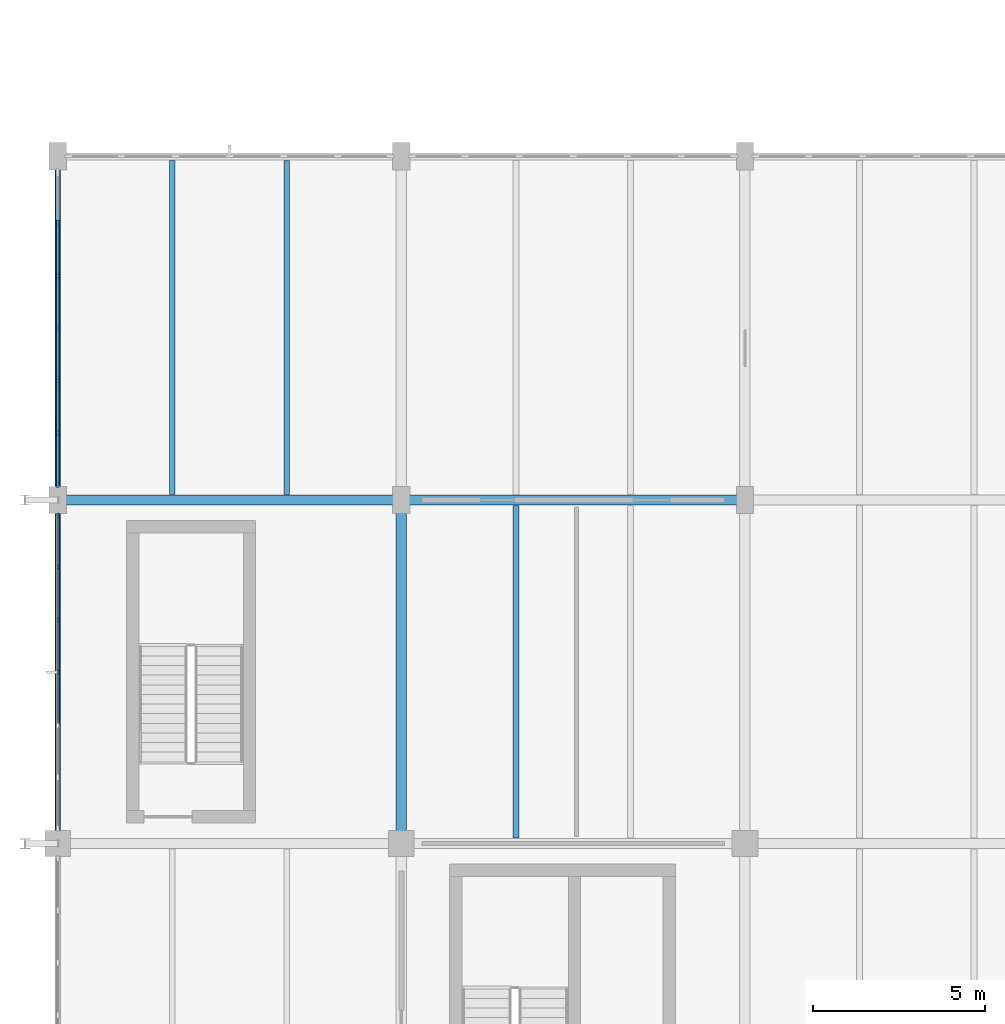
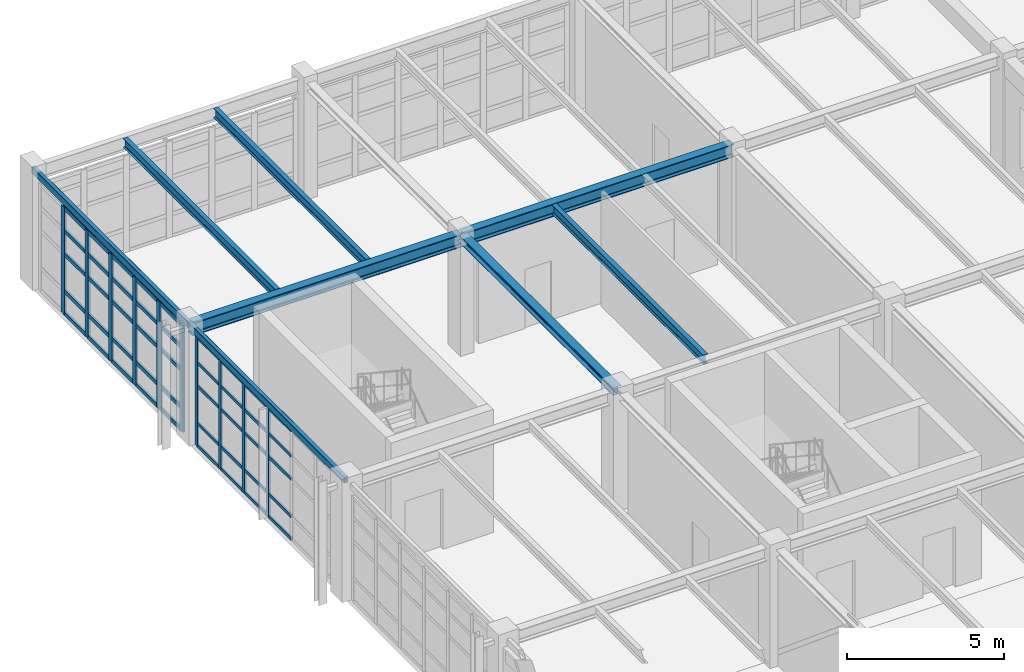
# One storey, part 44 of 139: 55 members, 8 beams, 2 elements without a shape of their own.
"""IFC4 building model written with IfcOpenShell, lengths in metres."""

from ifc_helpers import new_model, si_unit, direction, frame, origin, origin_2d, place, context, subcontext, project, spatial, rectangle, hollow_rectangle, i_section, extrude, material, layer, layer_set, material_profile, profile_set, type_object, element, aggregate, save


model = new_model("IFC4")

# Units and contexts
model_context = context("Model", 3, precision=1e-05, world=origin(), true_north=direction((0.0, 1.0)))
body_context = subcontext(model_context, "Body", "Model", "MODEL_VIEW")
ifc_project = project(units=[si_unit("LENGTHUNIT", "METRE"), si_unit("AREAUNIT", "SQUARE_METRE"), si_unit("VOLUMEUNIT", "CUBIC_METRE"), si_unit("PLANEANGLEUNIT", "RADIAN"), si_unit("MASSUNIT", "GRAM", prefix="KILO"), si_unit("THERMODYNAMICTEMPERATUREUNIT", "KELVIN"), si_unit("POWERUNIT", "WATT")], contexts=[model_context])

# Site, building, storey
site_placement = place(None, origin())
site = spatial("IfcSite", under=ifc_project, at=site_placement, CompositionType="ELEMENT")
building_placement = place(site_placement, origin())
building = spatial("IfcBuilding", under=site, at=building_placement, Name="Korenveer Ferry Terminal", CompositionType="ELEMENT")
storey_placement = place(building_placement, frame((0.0, 0.0, 5.39990234375)))
storey = spatial("IfcBuildingStorey", under=building, at=storey_placement, Name="L01", CompositionType="ELEMENT", Elevation=5.39990234375)

# Curtain wall, members
ifc_material_1 = material(Name="Unitised bronze-and-glass curtain wall", Category="glass")
ifc_layer_1 = layer(ifc_material_1, 0.159912109375)
ifc_layer_set_1 = layer_set([ifc_layer_1], Name="Unitised bronze-and-glass curtain wall")
curtain_wall_type_1 = type_object("IfcCurtainWallType", Name="ENV-CW-60", PredefinedType="USERDEFINED", material=ifc_layer_set_1)
curtain_wall_1_placement = place(storey_placement, frame((0.0, 60.405029296875, 0.0)))
curtain_wall_1 = element("IfcCurtainWall", 1, at=curtain_wall_1_placement, inside=storey, type_object=curtain_wall_type_1, Name="Lancet curtain wall CWX-L01-X0-0-Y60-70", ObjectType="UNITISED CURTAIN WALL", PredefinedType="USERDEFINED")
ifc_material_2 = material(Name="Anodised bronze aluminium", Category="aluminium")
ifc_material_profile_1 = material_profile(ifc_material_2, rectangle(XDim=0.06005859375, YDim=0.159912109375, at=origin_2d()), Name="ALU 60x160")
ifc_profile_set_1 = profile_set([ifc_material_profile_1], Name="Anodised bronze aluminium")
member_type_1 = type_object("IfcMemberType", Name="ENV-CWM-60X160", PredefinedType="MULLION", material=ifc_profile_set_1)
member_1_placement = place(storey_placement, frame((0.0, 64.987548828125, 0.0), z_axis=(0.0, 0.0, 1.0), x_axis=(-1.0, 0.0, 0.0)))
member_1 = element("IfcMember", 2, at=member_1_placement, type_object=member_type_1, Name="CW-60 mullion 4", PredefinedType="MULLION", context=body_context, shape_type="SweptSolid", body=[
    extrude(rectangle(XDim=0.06005859375, YDim=0.159912109375, at=origin_2d()), origin(), (0.0, 0.0, 1.0), 4.27001953125),
])
member_2_placement = place(storey_placement, frame((0.0, 66.514892578125, 0.0), z_axis=(0.0, 0.0, 1.0), x_axis=(-1.0, 0.0, 0.0)))
member_2 = element("IfcMember", 3, at=member_2_placement, type_object=member_type_1, Name="CW-60 mullion 5", PredefinedType="MULLION", context=body_context, shape_type="SweptSolid", body=[
    extrude(rectangle(XDim=0.06005859375, YDim=0.159912109375, at=origin_2d()), origin(), (0.0, 0.0, 1.0), 4.27001953125),
])
member_3_placement = place(storey_placement, frame((0.0, 68.04248046875, 0.0), z_axis=(0.0, 0.0, 1.0), x_axis=(-1.0, 0.0, 0.0)))
member_3 = element("IfcMember", 4, at=member_3_placement, type_object=member_type_1, Name="CW-60 mullion 6", PredefinedType="MULLION", context=body_context, shape_type="SweptSolid", body=[
    extrude(rectangle(XDim=0.06005859375, YDim=0.159912109375, at=origin_2d()), origin(), (0.0, 0.0, 1.0), 4.27001953125),
])
member_4_placement = place(storey_placement, frame((0.0, 69.5400390625, 0.0), z_axis=(0.0, 0.0, 1.0), x_axis=(-1.0, 0.0, 0.0)))
member_4 = element("IfcMember", 5, at=member_4_placement, type_object=member_type_1, Name="CW-60 mullion 7", PredefinedType="MULLION", context=body_context, shape_type="SweptSolid", body=[
    extrude(rectangle(XDim=0.06005859375, YDim=0.159912109375, at=origin_2d()), origin(), (0.0, 0.0, 1.0), 4.27001953125),
])

ifc_layer_2 = layer(ifc_material_1, 0.219970703125)
ifc_layer_set_2 = layer_set([ifc_layer_2], Name="Unitised bronze-and-glass curtain wall")
curtain_wall_type_2 = type_object("IfcCurtainWallType", Name="ENV-CW-61", PredefinedType="USERDEFINED", material=ifc_layer_set_2)
curtain_wall_2_placement = place(storey_placement, frame((0.0, 70.429931640625, 0.0)))
curtain_wall_2 = element("IfcCurtainWall", 6, at=curtain_wall_2_placement, inside=storey, type_object=curtain_wall_type_2, Name="Lancet curtain wall CWX-L01-X0-0-Y70-80", ObjectType="UNITISED CURTAIN WALL", PredefinedType="USERDEFINED")
ifc_material_profile_2 = material_profile(ifc_material_2, rectangle(XDim=0.074951171875, YDim=0.219970703125, at=origin_2d()), Name="ALU 75x220")
ifc_profile_set_2 = profile_set([ifc_material_profile_2], Name="Anodised bronze aluminium")
member_type_2 = type_object("IfcMemberType", Name="ENV-CWM-75X220", PredefinedType="MULLION", material=ifc_profile_set_2)
member_5_placement = place(storey_placement, frame((0.0, 70.467529296875, 0.0), z_axis=(0.0, 0.0, 1.0), x_axis=(-1.0, 0.0, 0.0)))
member_5 = element("IfcMember", 7, at=member_5_placement, type_object=member_type_2, Name="CW-61 mullion 1", PredefinedType="MULLION", context=body_context, shape_type="SweptSolid", body=[
    extrude(rectangle(XDim=0.074951171875, YDim=0.219970703125, at=origin_2d()), origin(), (0.0, 0.0, 1.0), 4.170166015625),
])
member_6_placement = place(storey_placement, frame((0.0, 71.953369140625, 0.0), z_axis=(0.0, 0.0, 1.0), x_axis=(-1.0, 0.0, 0.0)))
member_6 = element("IfcMember", 8, at=member_6_placement, type_object=member_type_2, Name="CW-61 mullion 2", PredefinedType="MULLION", context=body_context, shape_type="SweptSolid", body=[
    extrude(rectangle(XDim=0.074951171875, YDim=0.219970703125, at=origin_2d()), origin(), (0.0, 0.0, 1.0), 4.170166015625),
])
member_7_placement = place(storey_placement, frame((0.0, 73.4765625, 0.0), z_axis=(0.0, 0.0, 1.0), x_axis=(-1.0, 0.0, 0.0)))
member_7 = element("IfcMember", 9, at=member_7_placement, type_object=member_type_2, Name="CW-61 mullion 3", PredefinedType="MULLION", context=body_context, shape_type="SweptSolid", body=[
    extrude(rectangle(XDim=0.074951171875, YDim=0.219970703125, at=origin_2d()), origin(), (0.0, 0.0, 1.0), 4.170166015625),
])
member_8_placement = place(storey_placement, frame((0.0, 75.0, 0.0), z_axis=(0.0, 0.0, 1.0), x_axis=(-1.0, 0.0, 0.0)))
member_8 = element("IfcMember", 10, at=member_8_placement, type_object=member_type_2, Name="CW-61 mullion 4", PredefinedType="MULLION", context=body_context, shape_type="SweptSolid", body=[
    extrude(rectangle(XDim=0.074951171875, YDim=0.219970703125, at=origin_2d()), origin(), (0.0, 0.0, 1.0), 4.170166015625),
])
member_9_placement = place(storey_placement, frame((0.0, 76.5234375, 0.0), z_axis=(0.0, 0.0, 1.0), x_axis=(-1.0, 0.0, 0.0)))
member_9 = element("IfcMember", 11, at=member_9_placement, type_object=member_type_2, Name="CW-61 mullion 5", PredefinedType="MULLION", context=body_context, shape_type="SweptSolid", body=[
    extrude(rectangle(XDim=0.074951171875, YDim=0.219970703125, at=origin_2d()), origin(), (0.0, 0.0, 1.0), 4.170166015625),
])
member_10_placement = place(storey_placement, frame((0.0, 78.046630859375, 0.0), z_axis=(0.0, 0.0, 1.0), x_axis=(-1.0, 0.0, 0.0)))
member_10 = element("IfcMember", 12, at=member_10_placement, type_object=member_type_2, Name="CW-61 mullion 6", PredefinedType="MULLION", context=body_context, shape_type="SweptSolid", body=[
    extrude(rectangle(XDim=0.074951171875, YDim=0.219970703125, at=origin_2d()), origin(), (0.0, 0.0, 1.0), 4.170166015625),
])

# Member
ifc_material_profile_3 = material_profile(ifc_material_2, rectangle(XDim=0.06005859375, YDim=0.1201171875, at=origin_2d()), Name="ALU 60x120")
ifc_profile_set_3 = profile_set([ifc_material_profile_3], Name="Anodised bronze aluminium")
member_type_3 = type_object("IfcMemberType", Name="ENV-CWT-60X120", PredefinedType="USERDEFINED", material=ifc_profile_set_3)
member_11_placement = place(storey_placement, frame((0.0, 63.489990234375, 0.030029296875), z_axis=(0.0, 1.0, 0.0), x_axis=(-1.0, 0.0, 0.0)))
member_11 = element("IfcMember", 13, at=member_11_placement, type_object=member_type_3, Name="CW-60 transom 3.1", ObjectType="TRANSOM", PredefinedType="USERDEFINED", context=body_context, shape_type="SweptSolid", body=[
    extrude(rectangle(XDim=0.06005859375, YDim=0.1201171875, at=origin_2d()), origin(), (0.0, 0.0, 1.0), 1.467529296875),
])

member_12_placement = place(storey_placement, frame((0.0, 63.489990234375, 0.900146484375), z_axis=(0.0, 1.0, 0.0), x_axis=(-1.0, 0.0, 0.0)))
member_12 = element("IfcMember", 14, at=member_12_placement, type_object=member_type_3, Name="CW-60 transom 3.2", ObjectType="TRANSOM", PredefinedType="USERDEFINED", context=body_context, shape_type="SweptSolid", body=[
    extrude(rectangle(XDim=0.06005859375, YDim=0.1201171875, at=origin_2d()), origin(), (0.0, 0.0, 1.0), 1.467529296875),
])

member_13_placement = place(storey_placement, frame((0.0, 63.489990234375, 2.35009765625), z_axis=(0.0, 1.0, 0.0), x_axis=(-1.0, 0.0, 0.0)))
member_13 = element("IfcMember", 15, at=member_13_placement, type_object=member_type_3, Name="CW-60 transom 3.3", ObjectType="TRANSOM", PredefinedType="USERDEFINED", context=body_context, shape_type="SweptSolid", body=[
    extrude(rectangle(XDim=0.06005859375, YDim=0.1201171875, at=origin_2d()), origin(), (0.0, 0.0, 1.0), 1.467529296875),
])

member_14_placement = place(storey_placement, frame((0.0, 63.489990234375, 3.25), z_axis=(0.0, 1.0, 0.0), x_axis=(-1.0, 0.0, 0.0)))
member_14 = element("IfcMember", 16, at=member_14_placement, type_object=member_type_3, Name="CW-60 transom 3.4", ObjectType="TRANSOM", PredefinedType="USERDEFINED", context=body_context, shape_type="SweptSolid", body=[
    extrude(rectangle(XDim=0.06005859375, YDim=0.1201171875, at=origin_2d()), origin(), (0.0, 0.0, 1.0), 1.467529296875),
])

member_15_placement = place(storey_placement, frame((0.0, 63.489990234375, 4.239990234375), z_axis=(0.0, 1.0, 0.0), x_axis=(-1.0, 0.0, 0.0)))
member_15 = element("IfcMember", 17, at=member_15_placement, type_object=member_type_3, Name="CW-60 transom 3.5", ObjectType="TRANSOM", PredefinedType="USERDEFINED", context=body_context, shape_type="SweptSolid", body=[
    extrude(rectangle(XDim=0.06005859375, YDim=0.1201171875, at=origin_2d()), origin(), (0.0, 0.0, 1.0), 1.467529296875),
])

member_16_placement = place(storey_placement, frame((0.0, 65.017578125, 0.030029296875), z_axis=(0.0, 1.0, 0.0), x_axis=(-1.0, 0.0, 0.0)))
member_16 = element("IfcMember", 18, at=member_16_placement, type_object=member_type_3, Name="CW-60 transom 4.1", ObjectType="TRANSOM", PredefinedType="USERDEFINED", context=body_context, shape_type="SweptSolid", body=[
    extrude(rectangle(XDim=0.06005859375, YDim=0.1201171875, at=origin_2d()), origin(), (0.0, 0.0, 1.0), 1.467529296875),
])

member_17_placement = place(storey_placement, frame((0.0, 65.017578125, 0.900146484375), z_axis=(0.0, 1.0, 0.0), x_axis=(-1.0, 0.0, 0.0)))
member_17 = element("IfcMember", 19, at=member_17_placement, type_object=member_type_3, Name="CW-60 transom 4.2", ObjectType="TRANSOM", PredefinedType="USERDEFINED", context=body_context, shape_type="SweptSolid", body=[
    extrude(rectangle(XDim=0.06005859375, YDim=0.1201171875, at=origin_2d()), origin(), (0.0, 0.0, 1.0), 1.467529296875),
])

member_18_placement = place(storey_placement, frame((0.0, 65.017578125, 2.35009765625), z_axis=(0.0, 1.0, 0.0), x_axis=(-1.0, 0.0, 0.0)))
member_18 = element("IfcMember", 20, at=member_18_placement, type_object=member_type_3, Name="CW-60 transom 4.3", ObjectType="TRANSOM", PredefinedType="USERDEFINED", context=body_context, shape_type="SweptSolid", body=[
    extrude(rectangle(XDim=0.06005859375, YDim=0.1201171875, at=origin_2d()), origin(), (0.0, 0.0, 1.0), 1.467529296875),
])

member_19_placement = place(storey_placement, frame((0.0, 65.017578125, 3.25), z_axis=(0.0, 1.0, 0.0), x_axis=(-1.0, 0.0, 0.0)))
member_19 = element("IfcMember", 21, at=member_19_placement, type_object=member_type_3, Name="CW-60 transom 4.4", ObjectType="TRANSOM", PredefinedType="USERDEFINED", context=body_context, shape_type="SweptSolid", body=[
    extrude(rectangle(XDim=0.06005859375, YDim=0.1201171875, at=origin_2d()), origin(), (0.0, 0.0, 1.0), 1.467529296875),
])

member_20_placement = place(storey_placement, frame((0.0, 65.017578125, 4.239990234375), z_axis=(0.0, 1.0, 0.0), x_axis=(-1.0, 0.0, 0.0)))
member_20 = element("IfcMember", 22, at=member_20_placement, type_object=member_type_3, Name="CW-60 transom 4.5", ObjectType="TRANSOM", PredefinedType="USERDEFINED", context=body_context, shape_type="SweptSolid", body=[
    extrude(rectangle(XDim=0.06005859375, YDim=0.1201171875, at=origin_2d()), origin(), (0.0, 0.0, 1.0), 1.467529296875),
])

member_21_placement = place(storey_placement, frame((0.0, 66.544921875, 0.030029296875), z_axis=(0.0, 1.0, 0.0), x_axis=(-1.0, 0.0, 0.0)))
member_21 = element("IfcMember", 23, at=member_21_placement, type_object=member_type_3, Name="CW-60 transom 5.1", ObjectType="TRANSOM", PredefinedType="USERDEFINED", context=body_context, shape_type="SweptSolid", body=[
    extrude(rectangle(XDim=0.06005859375, YDim=0.1201171875, at=origin_2d()), origin(), (0.0, 0.0, 1.0), 1.467529296875),
])

member_22_placement = place(storey_placement, frame((0.0, 66.544921875, 0.900146484375), z_axis=(0.0, 1.0, 0.0), x_axis=(-1.0, 0.0, 0.0)))
member_22 = element("IfcMember", 24, at=member_22_placement, type_object=member_type_3, Name="CW-60 transom 5.2", ObjectType="TRANSOM", PredefinedType="USERDEFINED", context=body_context, shape_type="SweptSolid", body=[
    extrude(rectangle(XDim=0.06005859375, YDim=0.1201171875, at=origin_2d()), origin(), (0.0, 0.0, 1.0), 1.467529296875),
])

member_23_placement = place(storey_placement, frame((0.0, 66.544921875, 2.35009765625), z_axis=(0.0, 1.0, 0.0), x_axis=(-1.0, 0.0, 0.0)))
member_23 = element("IfcMember", 25, at=member_23_placement, type_object=member_type_3, Name="CW-60 transom 5.3", ObjectType="TRANSOM", PredefinedType="USERDEFINED", context=body_context, shape_type="SweptSolid", body=[
    extrude(rectangle(XDim=0.06005859375, YDim=0.1201171875, at=origin_2d()), origin(), (0.0, 0.0, 1.0), 1.467529296875),
])

member_24_placement = place(storey_placement, frame((0.0, 66.544921875, 3.25), z_axis=(0.0, 1.0, 0.0), x_axis=(-1.0, 0.0, 0.0)))
member_24 = element("IfcMember", 26, at=member_24_placement, type_object=member_type_3, Name="CW-60 transom 5.4", ObjectType="TRANSOM", PredefinedType="USERDEFINED", context=body_context, shape_type="SweptSolid", body=[
    extrude(rectangle(XDim=0.06005859375, YDim=0.1201171875, at=origin_2d()), origin(), (0.0, 0.0, 1.0), 1.467529296875),
])

member_25_placement = place(storey_placement, frame((0.0, 66.544921875, 4.239990234375), z_axis=(0.0, 1.0, 0.0), x_axis=(-1.0, 0.0, 0.0)))
member_25 = element("IfcMember", 27, at=member_25_placement, type_object=member_type_3, Name="CW-60 transom 5.5", ObjectType="TRANSOM", PredefinedType="USERDEFINED", context=body_context, shape_type="SweptSolid", body=[
    extrude(rectangle(XDim=0.06005859375, YDim=0.1201171875, at=origin_2d()), origin(), (0.0, 0.0, 1.0), 1.467529296875),
])

member_26_placement = place(storey_placement, frame((0.0, 68.072509765625, 0.030029296875), z_axis=(0.0, 1.0, 0.0), x_axis=(-1.0, 0.0, 0.0)))
member_26 = element("IfcMember", 28, at=member_26_placement, type_object=member_type_3, Name="CW-60 transom 6.1", ObjectType="TRANSOM", PredefinedType="USERDEFINED", context=body_context, shape_type="SweptSolid", body=[
    extrude(rectangle(XDim=0.06005859375, YDim=0.1201171875, at=origin_2d()), origin(), (0.0, 0.0, 1.0), 1.4375),
])

member_27_placement = place(storey_placement, frame((0.0, 68.072509765625, 0.900146484375), z_axis=(0.0, 1.0, 0.0), x_axis=(-1.0, 0.0, 0.0)))
member_27 = element("IfcMember", 29, at=member_27_placement, type_object=member_type_3, Name="CW-60 transom 6.2", ObjectType="TRANSOM", PredefinedType="USERDEFINED", context=body_context, shape_type="SweptSolid", body=[
    extrude(rectangle(XDim=0.06005859375, YDim=0.1201171875, at=origin_2d()), origin(), (0.0, 0.0, 1.0), 1.4375),
])

member_28_placement = place(storey_placement, frame((0.0, 68.072509765625, 2.35009765625), z_axis=(0.0, 1.0, 0.0), x_axis=(-1.0, 0.0, 0.0)))
member_28 = element("IfcMember", 30, at=member_28_placement, type_object=member_type_3, Name="CW-60 transom 6.3", ObjectType="TRANSOM", PredefinedType="USERDEFINED", context=body_context, shape_type="SweptSolid", body=[
    extrude(rectangle(XDim=0.06005859375, YDim=0.1201171875, at=origin_2d()), origin(), (0.0, 0.0, 1.0), 1.4375),
])

member_29_placement = place(storey_placement, frame((0.0, 68.072509765625, 3.25), z_axis=(0.0, 1.0, 0.0), x_axis=(-1.0, 0.0, 0.0)))
member_29 = element("IfcMember", 31, at=member_29_placement, type_object=member_type_3, Name="CW-60 transom 6.4", ObjectType="TRANSOM", PredefinedType="USERDEFINED", context=body_context, shape_type="SweptSolid", body=[
    extrude(rectangle(XDim=0.06005859375, YDim=0.1201171875, at=origin_2d()), origin(), (0.0, 0.0, 1.0), 1.4375),
])

member_30_placement = place(storey_placement, frame((0.0, 68.072509765625, 4.239990234375), z_axis=(0.0, 1.0, 0.0), x_axis=(-1.0, 0.0, 0.0)))
member_30 = element("IfcMember", 32, at=member_30_placement, type_object=member_type_3, Name="CW-60 transom 6.5", ObjectType="TRANSOM", PredefinedType="USERDEFINED", context=body_context, shape_type="SweptSolid", body=[
    extrude(rectangle(XDim=0.06005859375, YDim=0.1201171875, at=origin_2d()), origin(), (0.0, 0.0, 1.0), 1.4375),
])

aggregate(curtain_wall_1, [member_1, member_2, member_3, member_4, member_11, member_12, member_13, member_14, member_15, member_16, member_17, member_18, member_19, member_20, member_21, member_22, member_23, member_24, member_25, member_26, member_27, member_28, member_29, member_30])

ifc_material_profile_4 = material_profile(ifc_material_2, rectangle(XDim=0.074951171875, YDim=0.14990234375, at=origin_2d()), Name="ALU 75x150")
ifc_profile_set_4 = profile_set([ifc_material_profile_4], Name="Anodised bronze aluminium")
member_type_4 = type_object("IfcMemberType", Name="ENV-CWT-75X150", PredefinedType="USERDEFINED", material=ifc_profile_set_4)
member_31_placement = place(storey_placement, frame((0.0, 70.5048828125, 0.03759765625), z_axis=(0.0, 1.0, 0.0), x_axis=(-1.0, 0.0, 0.0)))
member_31 = element("IfcMember", 33, at=member_31_placement, type_object=member_type_4, Name="CW-61 transom 1.1", ObjectType="TRANSOM", PredefinedType="USERDEFINED", context=body_context, shape_type="SweptSolid", body=[
    extrude(rectangle(XDim=0.074951171875, YDim=0.14990234375, at=origin_2d()), origin(), (0.0, 0.0, 1.0), 1.410888671875),
])

member_32_placement = place(storey_placement, frame((0.0, 70.5048828125, 0.900146484375), z_axis=(0.0, 1.0, 0.0), x_axis=(-1.0, 0.0, 0.0)))
member_32 = element("IfcMember", 34, at=member_32_placement, type_object=member_type_4, Name="CW-61 transom 1.2", ObjectType="TRANSOM", PredefinedType="USERDEFINED", context=body_context, shape_type="SweptSolid", body=[
    extrude(rectangle(XDim=0.074951171875, YDim=0.14990234375, at=origin_2d()), origin(), (0.0, 0.0, 1.0), 1.410888671875),
])

member_33_placement = place(storey_placement, frame((0.0, 70.5048828125, 2.35009765625), z_axis=(0.0, 1.0, 0.0), x_axis=(-1.0, 0.0, 0.0)))
member_33 = element("IfcMember", 35, at=member_33_placement, type_object=member_type_4, Name="CW-61 transom 1.3", ObjectType="TRANSOM", PredefinedType="USERDEFINED", context=body_context, shape_type="SweptSolid", body=[
    extrude(rectangle(XDim=0.074951171875, YDim=0.14990234375, at=origin_2d()), origin(), (0.0, 0.0, 1.0), 1.410888671875),
])

member_34_placement = place(storey_placement, frame((0.0, 70.5048828125, 3.25), z_axis=(0.0, 1.0, 0.0), x_axis=(-1.0, 0.0, 0.0)))
member_34 = element("IfcMember", 36, at=member_34_placement, type_object=member_type_4, Name="CW-61 transom 1.4", ObjectType="TRANSOM", PredefinedType="USERDEFINED", context=body_context, shape_type="SweptSolid", body=[
    extrude(rectangle(XDim=0.074951171875, YDim=0.14990234375, at=origin_2d()), origin(), (0.0, 0.0, 1.0), 1.410888671875),
])

member_35_placement = place(storey_placement, frame((0.0, 70.5048828125, 4.132568359375), z_axis=(0.0, 1.0, 0.0), x_axis=(-1.0, 0.0, 0.0)))
member_35 = element("IfcMember", 37, at=member_35_placement, type_object=member_type_4, Name="CW-61 transom 1.5", ObjectType="TRANSOM", PredefinedType="USERDEFINED", context=body_context, shape_type="SweptSolid", body=[
    extrude(rectangle(XDim=0.074951171875, YDim=0.14990234375, at=origin_2d()), origin(), (0.0, 0.0, 1.0), 1.410888671875),
])

member_36_placement = place(storey_placement, frame((0.0, 71.99072265625, 0.03759765625), z_axis=(0.0, 1.0, 0.0), x_axis=(-1.0, 0.0, 0.0)))
member_36 = element("IfcMember", 38, at=member_36_placement, type_object=member_type_4, Name="CW-61 transom 2.1", ObjectType="TRANSOM", PredefinedType="USERDEFINED", context=body_context, shape_type="SweptSolid", body=[
    extrude(rectangle(XDim=0.074951171875, YDim=0.14990234375, at=origin_2d()), origin(), (0.0, 0.0, 1.0), 1.448486328125),
])

member_37_placement = place(storey_placement, frame((0.0, 71.99072265625, 0.900146484375), z_axis=(0.0, 1.0, 0.0), x_axis=(-1.0, 0.0, 0.0)))
member_37 = element("IfcMember", 39, at=member_37_placement, type_object=member_type_4, Name="CW-61 transom 2.2", ObjectType="TRANSOM", PredefinedType="USERDEFINED", context=body_context, shape_type="SweptSolid", body=[
    extrude(rectangle(XDim=0.074951171875, YDim=0.14990234375, at=origin_2d()), origin(), (0.0, 0.0, 1.0), 1.448486328125),
])

member_38_placement = place(storey_placement, frame((0.0, 71.99072265625, 2.35009765625), z_axis=(0.0, 1.0, 0.0), x_axis=(-1.0, 0.0, 0.0)))
member_38 = element("IfcMember", 40, at=member_38_placement, type_object=member_type_4, Name="CW-61 transom 2.3", ObjectType="TRANSOM", PredefinedType="USERDEFINED", context=body_context, shape_type="SweptSolid", body=[
    extrude(rectangle(XDim=0.074951171875, YDim=0.14990234375, at=origin_2d()), origin(), (0.0, 0.0, 1.0), 1.448486328125),
])

member_39_placement = place(storey_placement, frame((0.0, 71.99072265625, 3.25), z_axis=(0.0, 1.0, 0.0), x_axis=(-1.0, 0.0, 0.0)))
member_39 = element("IfcMember", 41, at=member_39_placement, type_object=member_type_4, Name="CW-61 transom 2.4", ObjectType="TRANSOM", PredefinedType="USERDEFINED", context=body_context, shape_type="SweptSolid", body=[
    extrude(rectangle(XDim=0.074951171875, YDim=0.14990234375, at=origin_2d()), origin(), (0.0, 0.0, 1.0), 1.448486328125),
])

member_40_placement = place(storey_placement, frame((0.0, 71.99072265625, 4.132568359375), z_axis=(0.0, 1.0, 0.0), x_axis=(-1.0, 0.0, 0.0)))
member_40 = element("IfcMember", 42, at=member_40_placement, type_object=member_type_4, Name="CW-61 transom 2.5", ObjectType="TRANSOM", PredefinedType="USERDEFINED", context=body_context, shape_type="SweptSolid", body=[
    extrude(rectangle(XDim=0.074951171875, YDim=0.14990234375, at=origin_2d()), origin(), (0.0, 0.0, 1.0), 1.448486328125),
])

member_41_placement = place(storey_placement, frame((0.0, 73.51416015625, 0.03759765625), z_axis=(0.0, 1.0, 0.0), x_axis=(-1.0, 0.0, 0.0)))
member_41 = element("IfcMember", 43, at=member_41_placement, type_object=member_type_4, Name="CW-61 transom 3.1", ObjectType="TRANSOM", PredefinedType="USERDEFINED", context=body_context, shape_type="SweptSolid", body=[
    extrude(rectangle(XDim=0.074951171875, YDim=0.14990234375, at=origin_2d()), origin(), (0.0, 0.0, 1.0), 1.4482421875),
])

member_42_placement = place(storey_placement, frame((0.0, 73.51416015625, 0.900146484375), z_axis=(0.0, 1.0, 0.0), x_axis=(-1.0, 0.0, 0.0)))
member_42 = element("IfcMember", 44, at=member_42_placement, type_object=member_type_4, Name="CW-61 transom 3.2", ObjectType="TRANSOM", PredefinedType="USERDEFINED", context=body_context, shape_type="SweptSolid", body=[
    extrude(rectangle(XDim=0.074951171875, YDim=0.14990234375, at=origin_2d()), origin(), (0.0, 0.0, 1.0), 1.4482421875),
])

member_43_placement = place(storey_placement, frame((0.0, 73.51416015625, 2.35009765625), z_axis=(0.0, 1.0, 0.0), x_axis=(-1.0, 0.0, 0.0)))
member_43 = element("IfcMember", 45, at=member_43_placement, type_object=member_type_4, Name="CW-61 transom 3.3", ObjectType="TRANSOM", PredefinedType="USERDEFINED", context=body_context, shape_type="SweptSolid", body=[
    extrude(rectangle(XDim=0.074951171875, YDim=0.14990234375, at=origin_2d()), origin(), (0.0, 0.0, 1.0), 1.4482421875),
])

member_44_placement = place(storey_placement, frame((0.0, 73.51416015625, 3.25), z_axis=(0.0, 1.0, 0.0), x_axis=(-1.0, 0.0, 0.0)))
member_44 = element("IfcMember", 46, at=member_44_placement, type_object=member_type_4, Name="CW-61 transom 3.4", ObjectType="TRANSOM", PredefinedType="USERDEFINED", context=body_context, shape_type="SweptSolid", body=[
    extrude(rectangle(XDim=0.074951171875, YDim=0.14990234375, at=origin_2d()), origin(), (0.0, 0.0, 1.0), 1.4482421875),
])

member_45_placement = place(storey_placement, frame((0.0, 73.51416015625, 4.132568359375), z_axis=(0.0, 1.0, 0.0), x_axis=(-1.0, 0.0, 0.0)))
member_45 = element("IfcMember", 47, at=member_45_placement, type_object=member_type_4, Name="CW-61 transom 3.5", ObjectType="TRANSOM", PredefinedType="USERDEFINED", context=body_context, shape_type="SweptSolid", body=[
    extrude(rectangle(XDim=0.074951171875, YDim=0.14990234375, at=origin_2d()), origin(), (0.0, 0.0, 1.0), 1.4482421875),
])

member_46_placement = place(storey_placement, frame((0.0, 75.03759765625, 0.03759765625), z_axis=(0.0, 1.0, 0.0), x_axis=(-1.0, 0.0, 0.0)))
member_46 = element("IfcMember", 48, at=member_46_placement, type_object=member_type_4, Name="CW-61 transom 4.1", ObjectType="TRANSOM", PredefinedType="USERDEFINED", context=body_context, shape_type="SweptSolid", body=[
    extrude(rectangle(XDim=0.074951171875, YDim=0.14990234375, at=origin_2d()), origin(), (0.0, 0.0, 1.0), 1.4482421875),
])

member_47_placement = place(storey_placement, frame((0.0, 75.03759765625, 0.900146484375), z_axis=(0.0, 1.0, 0.0), x_axis=(-1.0, 0.0, 0.0)))
member_47 = element("IfcMember", 49, at=member_47_placement, type_object=member_type_4, Name="CW-61 transom 4.2", ObjectType="TRANSOM", PredefinedType="USERDEFINED", context=body_context, shape_type="SweptSolid", body=[
    extrude(rectangle(XDim=0.074951171875, YDim=0.14990234375, at=origin_2d()), origin(), (0.0, 0.0, 1.0), 1.4482421875),
])

member_48_placement = place(storey_placement, frame((0.0, 75.03759765625, 2.35009765625), z_axis=(0.0, 1.0, 0.0), x_axis=(-1.0, 0.0, 0.0)))
member_48 = element("IfcMember", 50, at=member_48_placement, type_object=member_type_4, Name="CW-61 transom 4.3", ObjectType="TRANSOM", PredefinedType="USERDEFINED", context=body_context, shape_type="SweptSolid", body=[
    extrude(rectangle(XDim=0.074951171875, YDim=0.14990234375, at=origin_2d()), origin(), (0.0, 0.0, 1.0), 1.4482421875),
])

member_49_placement = place(storey_placement, frame((0.0, 75.03759765625, 3.25), z_axis=(0.0, 1.0, 0.0), x_axis=(-1.0, 0.0, 0.0)))
member_49 = element("IfcMember", 51, at=member_49_placement, type_object=member_type_4, Name="CW-61 transom 4.4", ObjectType="TRANSOM", PredefinedType="USERDEFINED", context=body_context, shape_type="SweptSolid", body=[
    extrude(rectangle(XDim=0.074951171875, YDim=0.14990234375, at=origin_2d()), origin(), (0.0, 0.0, 1.0), 1.4482421875),
])

member_50_placement = place(storey_placement, frame((0.0, 75.03759765625, 4.132568359375), z_axis=(0.0, 1.0, 0.0), x_axis=(-1.0, 0.0, 0.0)))
member_50 = element("IfcMember", 52, at=member_50_placement, type_object=member_type_4, Name="CW-61 transom 4.5", ObjectType="TRANSOM", PredefinedType="USERDEFINED", context=body_context, shape_type="SweptSolid", body=[
    extrude(rectangle(XDim=0.074951171875, YDim=0.14990234375, at=origin_2d()), origin(), (0.0, 0.0, 1.0), 1.4482421875),
])

member_51_placement = place(storey_placement, frame((0.0, 76.560791015625, 0.03759765625), z_axis=(0.0, 1.0, 0.0), x_axis=(-1.0, 0.0, 0.0)))
member_51 = element("IfcMember", 53, at=member_51_placement, type_object=member_type_4, Name="CW-61 transom 5.1", ObjectType="TRANSOM", PredefinedType="USERDEFINED", context=body_context, shape_type="SweptSolid", body=[
    extrude(rectangle(XDim=0.074951171875, YDim=0.14990234375, at=origin_2d()), origin(), (0.0, 0.0, 1.0), 1.448486328125),
])

member_52_placement = place(storey_placement, frame((0.0, 76.560791015625, 0.900146484375), z_axis=(0.0, 1.0, 0.0), x_axis=(-1.0, 0.0, 0.0)))
member_52 = element("IfcMember", 54, at=member_52_placement, type_object=member_type_4, Name="CW-61 transom 5.2", ObjectType="TRANSOM", PredefinedType="USERDEFINED", context=body_context, shape_type="SweptSolid", body=[
    extrude(rectangle(XDim=0.074951171875, YDim=0.14990234375, at=origin_2d()), origin(), (0.0, 0.0, 1.0), 1.448486328125),
])

member_53_placement = place(storey_placement, frame((0.0, 76.560791015625, 2.35009765625), z_axis=(0.0, 1.0, 0.0), x_axis=(-1.0, 0.0, 0.0)))
member_53 = element("IfcMember", 55, at=member_53_placement, type_object=member_type_4, Name="CW-61 transom 5.3", ObjectType="TRANSOM", PredefinedType="USERDEFINED", context=body_context, shape_type="SweptSolid", body=[
    extrude(rectangle(XDim=0.074951171875, YDim=0.14990234375, at=origin_2d()), origin(), (0.0, 0.0, 1.0), 1.448486328125),
])

member_54_placement = place(storey_placement, frame((0.0, 76.560791015625, 3.25), z_axis=(0.0, 1.0, 0.0), x_axis=(-1.0, 0.0, 0.0)))
member_54 = element("IfcMember", 56, at=member_54_placement, type_object=member_type_4, Name="CW-61 transom 5.4", ObjectType="TRANSOM", PredefinedType="USERDEFINED", context=body_context, shape_type="SweptSolid", body=[
    extrude(rectangle(XDim=0.074951171875, YDim=0.14990234375, at=origin_2d()), origin(), (0.0, 0.0, 1.0), 1.448486328125),
])

member_55_placement = place(storey_placement, frame((0.0, 76.560791015625, 4.132568359375), z_axis=(0.0, 1.0, 0.0), x_axis=(-1.0, 0.0, 0.0)))
member_55 = element("IfcMember", 57, at=member_55_placement, type_object=member_type_4, Name="CW-61 transom 5.5", ObjectType="TRANSOM", PredefinedType="USERDEFINED", context=body_context, shape_type="SweptSolid", body=[
    extrude(rectangle(XDim=0.074951171875, YDim=0.14990234375, at=origin_2d()), origin(), (0.0, 0.0, 1.0), 1.448486328125),
])

aggregate(curtain_wall_2, [member_5, member_6, member_7, member_8, member_9, member_10, member_31, member_32, member_33, member_34, member_35, member_36, member_37, member_38, member_39, member_40, member_41, member_42, member_43, member_44, member_45, member_46, member_47, member_48, member_49, member_50, member_51, member_52, member_53, member_54, member_55])

# Beams
ifc_material_3 = material(Name="Steel S355", Category="steel")
ifc_material_profile_5 = material_profile(ifc_material_3, i_section(OverallWidth=0.300048828125, OverallDepth=0.2900390625, WebThickness=0.008544921875, FlangeThickness=0.013916015625, FilletRadius=0.027099609375, at=origin_2d()), Name="HEA 300")
ifc_profile_set_5 = profile_set([ifc_material_profile_5], Name="Steel S355")
beam_type_1 = type_object("IfcBeamType", Name="STR-BM-HEA300", PredefinedType="BEAM", material=ifc_profile_set_5)
beam_1_placement = place(storey_placement, frame((10.0, 60.02001953125, 4.405029296875), z_axis=(0.0, 1.0, 0.0), x_axis=(-1.0, 0.0, 0.0)))
element("IfcBeam", 58, at=beam_1_placement, inside=storey, type_object=beam_type_1, Name="Primary Y girder BMY-L02-X10-Y60-70", PredefinedType="BEAM", context=body_context, shape_type="SweptSolid", body=[
    extrude(i_section(OverallWidth=0.300048828125, OverallDepth=0.2900390625, WebThickness=0.008544921875, FlangeThickness=0.013916015625, FilletRadius=0.027099609375, at=origin_2d()), origin(), (0.0, 0.0, 1.0), 9.9599609375),
])
ifc_material_profile_6 = material_profile(ifc_material_3, i_section(OverallWidth=0.300048828125, OverallDepth=0.5, WebThickness=0.014404296875, FlangeThickness=0.028076171875, FilletRadius=0.027099609375, at=origin_2d()), Name="HEB 500")
ifc_profile_set_6 = profile_set([ifc_material_profile_6], Name="Steel S355")
beam_type_2 = type_object("IfcBeamType", Name="STR-BM-HEB500", PredefinedType="BEAM", material=ifc_profile_set_6)
for number, where, z_axis, x_axis, name in (
    (59, (0.02001953125, 70.0, 4.300048828125), (1.0, 0.0, 0.0), (0.0, 1.0, 0.0), "Primary X girder BMX-L02-X0-10-Y70"),
    (60, (10.02001953125, 70.0, 4.300048828125), (1.0, 0.0, 0.0), (0.0, 1.0, 0.0), "Primary X girder BMX-L02-X10-20-Y70"),
):
    element("IfcBeam", number, at=place(storey_placement, frame(where, z_axis=z_axis, x_axis=x_axis)), inside=storey, type_object=beam_type_2, Name=name, PredefinedType="BEAM", context=body_context, shape_type="SweptSolid", body=[
        extrude(i_section(OverallWidth=0.300048828125, OverallDepth=0.5, WebThickness=0.014404296875, FlangeThickness=0.028076171875, FilletRadius=0.027099609375, at=origin_2d()), origin(), (0.0, 0.0, 1.0), 9.9599609375),
    ])
ifc_material_profile_7 = material_profile(ifc_material_3, i_section(OverallWidth=0.169921875, OverallDepth=0.360107421875, WebThickness=0.008056640625, FlangeThickness=0.0126953125, FilletRadius=0.01806640625, at=origin_2d()), Name="IPE 360")
ifc_profile_set_7 = profile_set([ifc_material_profile_7], Name="Steel S355")
beam_type_3 = type_object("IfcBeamType", Name="STR-JST-IPE360", PredefinedType="JOIST", material=ifc_profile_set_7)
for number, where, z_axis, x_axis, name in (
    (61, (3.333251953125, 70.159912109375, 4.3701171875), (0.0, 1.0, 0.0), (-1.0, 0.0, 0.0), "Secondary composite joist JST-L02-X33-Y70-80"),
    (62, (6.666748046875, 70.159912109375, 4.3701171875), (0.0, 1.0, 0.0), (-1.0, 0.0, 0.0), "Secondary composite joist JST-L02-X67-Y70-80"),
):
    element("IfcBeam", number, at=place(storey_placement, frame(where, z_axis=z_axis, x_axis=x_axis)), inside=storey, type_object=beam_type_3, Name=name, PredefinedType="JOIST", context=body_context, shape_type="SweptSolid", body=[
        extrude(i_section(OverallWidth=0.169921875, OverallDepth=0.360107421875, WebThickness=0.008056640625, FlangeThickness=0.0126953125, FilletRadius=0.01806640625, at=origin_2d()), origin(), (0.0, 0.0, 1.0), 9.72509765625),
    ])
beam_2_placement = place(storey_placement, frame((13.333251953125, 60.159912109375, 4.3701171875), z_axis=(0.0, 1.0, 0.0), x_axis=(-1.0, 0.0, 0.0)))
element("IfcBeam", 63, at=beam_2_placement, inside=storey, type_object=beam_type_3, Name="Secondary composite joist JST-L02-X133-Y60-70", PredefinedType="JOIST", context=body_context, shape_type="SweptSolid", body=[
    extrude(i_section(OverallWidth=0.169921875, OverallDepth=0.360107421875, WebThickness=0.008056640625, FlangeThickness=0.0126953125, FilletRadius=0.01806640625, at=origin_2d()), origin(), (0.0, 0.0, 1.0), 9.68017578125),
])
ifc_material_profile_8 = material_profile(ifc_material_3, hollow_rectangle(XDim=0.14990234375, YDim=0.25, WallThickness=0.010009765625, InnerFilletRadius=0.010009765625, OuterFilletRadius=0.014892578125, at=origin_2d()), Name="RHS 250x150x10")
ifc_profile_set_8 = profile_set([ifc_material_profile_8], Name="Steel S355")
beam_type_4 = type_object("IfcBeamType", Name="STR-SPD-RHS250", PredefinedType="SPANDREL", material=ifc_profile_set_8)
for number, where, z_axis, x_axis, name in (
    (64, (0.0, 60.02001953125, 4.425048828125), (0.0, 1.0, 0.0), (-1.0, 0.0, 0.0), "Primary Y girder BMY-L02-X0-Y60-70"),
    (65, (0.0, 70.02001953125, 4.425048828125), (0.0, 1.0, 0.0), (-1.0, 0.0, 0.0), "Primary Y girder BMY-L02-X0-Y70-80"),
):
    element("IfcBeam", number, at=place(storey_placement, frame(where, z_axis=z_axis, x_axis=x_axis)), inside=storey, type_object=beam_type_4, Name=name, PredefinedType="SPANDREL", context=body_context, shape_type="SweptSolid", body=[
        extrude(hollow_rectangle(XDim=0.14990234375, YDim=0.25, WallThickness=0.010009765625, InnerFilletRadius=0.010009765625, OuterFilletRadius=0.014892578125, at=origin_2d()), origin(), (0.0, 0.0, 1.0), 9.9599609375),
    ])

save(model, "model.ifc")
